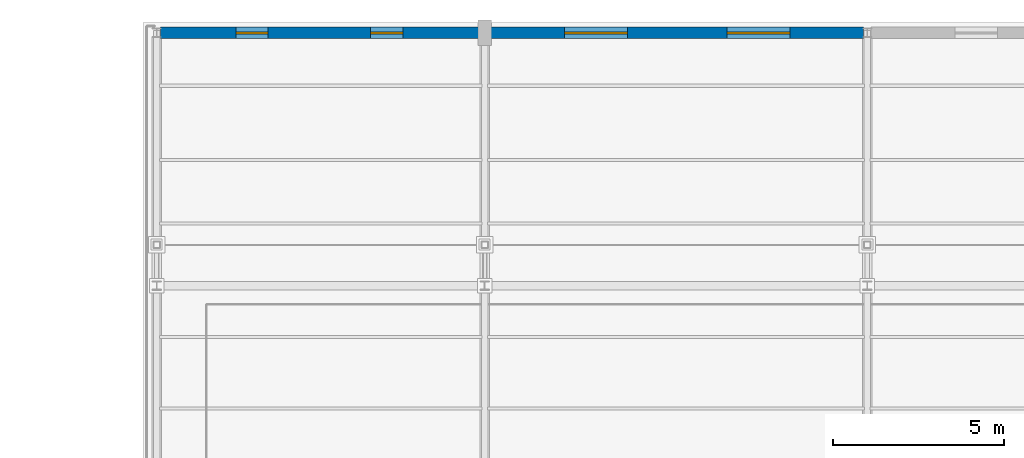
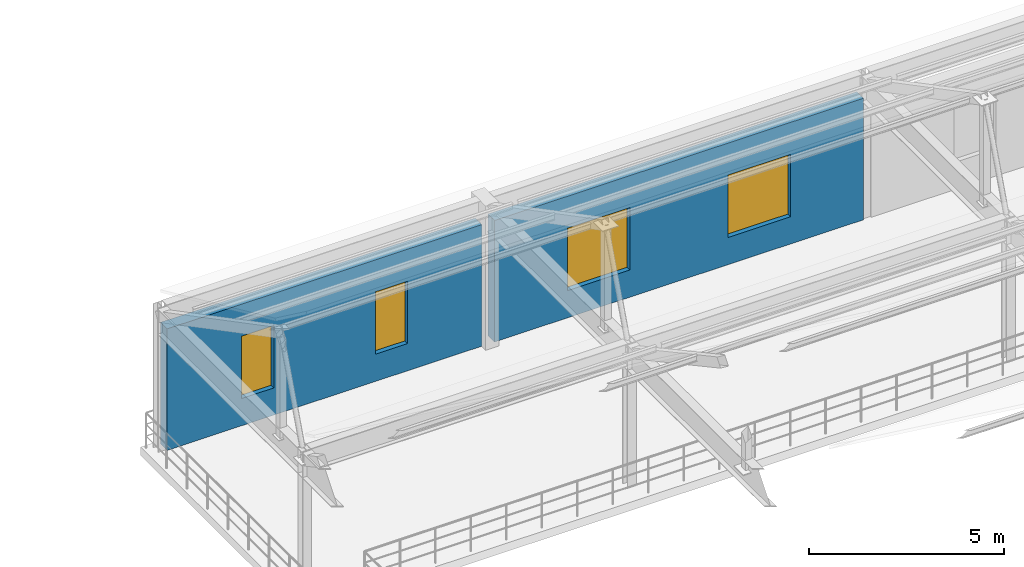
# One storey, part 89 of 112: 4 windows, 2 walls, 4 openings.
"""IFC4 building model written with IfcOpenShell, lengths in metres."""

from ifc_helpers import new_model, si_unit, direction, frame, frame_2d, origin, place, context, subcontext, project, spatial, rectangle, extrude, material, layer, layer_set, type_object, element, fill, save


model = new_model("IFC4")

# Units and contexts
model_context = context("Model", 3, precision=1e-05, world=origin(), true_north=direction((0.0, 1.0)))
body_context = subcontext(model_context, "Body", "Model", "MODEL_VIEW")
ifc_project = project(units=[si_unit("LENGTHUNIT", "METRE"), si_unit("AREAUNIT", "SQUARE_METRE"), si_unit("VOLUMEUNIT", "CUBIC_METRE"), si_unit("PLANEANGLEUNIT", "RADIAN"), si_unit("MASSUNIT", "GRAM", prefix="KILO")], contexts=[model_context])

# Site, building, storey
site_placement = place(None, origin())
site = spatial("IfcSite", under=ifc_project, at=site_placement, CompositionType="ELEMENT")
building_placement = place(site_placement, origin())
building = spatial("IfcBuilding", under=site, at=building_placement, Name="Cinderbank Siding Concert Hall", CompositionType="ELEMENT")
storey_placement = place(building_placement, frame((0.0, 0.0, 10.199951171875)))
storey = spatial("IfcBuildingStorey", under=building, at=storey_placement, Name="L03", CompositionType="ELEMENT", Elevation=10.199951171875)

# Wall, openings, windows
ifc_material_1 = material(Name="Clinker clay brickwork masonry AS 3700 (20 MPa)", Category="masonry")
ifc_layer = layer(ifc_material_1, 0.340087890625)
ifc_layer_set = layer_set([ifc_layer], Name="Clinker clay brickwork masonry AS 3700 (20 MPa)")
wall_type = type_object("IfcWallType", Name="WL-07 Exterior Wall 340mm", PredefinedType="STANDARD", material=ifc_layer_set)
wall_1_placement = place(storey_placement, frame((118.512939453125, 117.89990234375, 0.0), z_axis=(0.0, 0.0, 1.0), x_axis=(1.0, 0.0, 0.0)))
wall_1 = element("IfcWall", 1, at=wall_1_placement, inside=storey, type_object=wall_type, Name="L03 Facade Wall EW-V3-N1-L03", PredefinedType="STANDARD", context=body_context, shape_type="SweptSolid", body=[
    extrude(rectangle(XDim=9.302001953125, YDim=0.340087890625, at=frame_2d((4.65087890625, 0.0))), origin(), (0.0, 0.0, 1.0), 3.797119140625),
])
opening_1_placement = place(wall_1_placement, frame((2.200439453125, 0.0, 0.85009765625)))
opening_1 = element("IfcOpeningElement", 2, at=opening_1_placement, cuts=wall_1, Name="Opening WN-10", PredefinedType="OPENING", context=body_context, shape_type="SweptSolid", body=[
    extrude(rectangle(XDim=0.949951171875, YDim=1.949951171875, at=frame_2d((0.47509765625, 0.97509765625))), frame((0.0, 0.18212890625, 0.0), z_axis=(0.0, -1.0, 0.0), x_axis=(1.0, 0.0, 0.0)), (0.0, 0.0, 1.0), 0.364013671875),
])
opening_2_placement = place(wall_1_placement, frame((6.151611328125, 0.0, 0.85009765625)))
opening_2 = element("IfcOpeningElement", 3, at=opening_2_placement, cuts=wall_1, Name="Opening WN-10", PredefinedType="OPENING", context=body_context, shape_type="SweptSolid", body=[
    extrude(rectangle(XDim=0.949951171875, YDim=1.949951171875, at=frame_2d((0.47509765625, 0.97509765625))), frame((0.0, 0.18212890625, 0.0), z_axis=(0.0, -1.0, 0.0), x_axis=(1.0, 0.0, 0.0)), (0.0, 0.0, 1.0), 0.364013671875),
])
ifc_material_2 = material(Name="Double-glazed laminated acoustic glass", Category="glass")
window_type_1 = type_object("IfcWindowType", Name="WN-10 Acoustic Casement Window 950x1950", PartitioningType="DOUBLE_PANEL_VERTICAL", PredefinedType="WINDOW", material=ifc_material_2)
window_1_placement = place(opening_1_placement, origin())
window_1 = element("IfcWindow", 4, at=window_1_placement, inside=storey, type_object=window_type_1, Name="L03 Facade Window #148", OverallHeight=1.949951171875, OverallWidth=0.949951171875, PartitioningType="DOUBLE_PANEL_VERTICAL", PredefinedType="WINDOW", context=body_context, shape_type="SweptSolid", body=[
    extrude(rectangle(XDim=0.949951171875, YDim=1.949951171875, at=frame_2d((0.47509765625, 0.97509765625))), frame((0.0, 0.030029296875, 0.0), z_axis=(0.0, -1.0, 0.0), x_axis=(1.0, 0.0, 0.0)), (0.0, 0.0, 1.0), 0.06005859375),
])
fill(opening_1, window_1)
window_2_placement = place(opening_2_placement, origin())
window_2 = element("IfcWindow", 5, at=window_2_placement, inside=storey, type_object=window_type_1, Name="L03 Facade Window #149", OverallHeight=1.949951171875, OverallWidth=0.949951171875, PartitioningType="DOUBLE_PANEL_VERTICAL", PredefinedType="WINDOW", context=body_context, shape_type="SweptSolid", body=[
    extrude(rectangle(XDim=0.949951171875, YDim=1.949951171875, at=frame_2d((0.47509765625, 0.97509765625))), frame((0.0, 0.030029296875, 0.0), z_axis=(0.0, -1.0, 0.0), x_axis=(1.0, 0.0, 0.0)), (0.0, 0.0, 1.0), 0.06005859375),
])
fill(opening_2, window_2)

wall_2_placement = place(storey_placement, frame((128.18505859375, 117.89990234375, 0.0), z_axis=(0.0, 0.0, 1.0), x_axis=(1.0, 0.0, 0.0)))
wall_2 = element("IfcWall", 6, at=wall_2_placement, inside=storey, type_object=wall_type, Name="L03 Facade Wall EW-V3-N2-L03", PredefinedType="STANDARD", context=body_context, shape_type="SweptSolid", body=[
    extrude(rectangle(XDim=10.90185546875, YDim=0.340087890625, at=frame_2d((5.450927734375, 0.0))), origin(), (0.0, 0.0, 1.0), 3.797119140625),
])
opening_3_placement = place(wall_2_placement, frame((2.150390625, 0.0, 0.85009765625)))
opening_3 = element("IfcOpeningElement", 7, at=opening_3_placement, cuts=wall_2, Name="Opening WN-16", PredefinedType="OPENING", context=body_context, shape_type="SweptSolid", body=[
    extrude(rectangle(XDim=1.85009765625, YDim=1.949951171875, at=frame_2d((0.925048828125, 0.97509765625))), frame((0.0, 0.18212890625, 0.0), z_axis=(0.0, -1.0, 0.0), x_axis=(1.0, 0.0, 0.0)), (0.0, 0.0, 1.0), 0.364013671875),
])
opening_4_placement = place(wall_2_placement, frame((6.901611328125, 0.0, 0.85009765625)))
opening_4 = element("IfcOpeningElement", 8, at=opening_4_placement, cuts=wall_2, Name="Opening WN-16", PredefinedType="OPENING", context=body_context, shape_type="SweptSolid", body=[
    extrude(rectangle(XDim=1.85009765625, YDim=1.949951171875, at=frame_2d((0.925048828125, 0.97509765625))), frame((0.0, 0.18212890625, 0.0), z_axis=(0.0, -1.0, 0.0), x_axis=(1.0, 0.0, 0.0)), (0.0, 0.0, 1.0), 0.364013671875),
])
window_type_2 = type_object("IfcWindowType", Name="WN-16 Acoustic Casement Window 1850x1950", PartitioningType="DOUBLE_PANEL_VERTICAL", PredefinedType="WINDOW", material=ifc_material_2)
window_3_placement = place(opening_3_placement, origin())
window_3 = element("IfcWindow", 9, at=window_3_placement, inside=storey, type_object=window_type_2, Name="L03 Facade Window #154", OverallHeight=1.949951171875, OverallWidth=1.85009765625, PartitioningType="DOUBLE_PANEL_VERTICAL", PredefinedType="WINDOW", context=body_context, shape_type="SweptSolid", body=[
    extrude(rectangle(XDim=1.85009765625, YDim=1.949951171875, at=frame_2d((0.925048828125, 0.97509765625))), frame((0.0, 0.030029296875, 0.0), z_axis=(0.0, -1.0, 0.0), x_axis=(1.0, 0.0, 0.0)), (0.0, 0.0, 1.0), 0.06005859375),
])
fill(opening_3, window_3)
window_4_placement = place(opening_4_placement, origin())
window_4 = element("IfcWindow", 10, at=window_4_placement, inside=storey, type_object=window_type_2, Name="L03 Facade Window #155", OverallHeight=1.949951171875, OverallWidth=1.85009765625, PartitioningType="DOUBLE_PANEL_VERTICAL", PredefinedType="WINDOW", context=body_context, shape_type="SweptSolid", body=[
    extrude(rectangle(XDim=1.85009765625, YDim=1.949951171875, at=frame_2d((0.925048828125, 0.97509765625))), frame((0.0, 0.030029296875, 0.0), z_axis=(0.0, -1.0, 0.0), x_axis=(1.0, 0.0, 0.0)), (0.0, 0.0, 1.0), 0.06005859375),
])
fill(opening_4, window_4)

save(model, "model.ifc")
